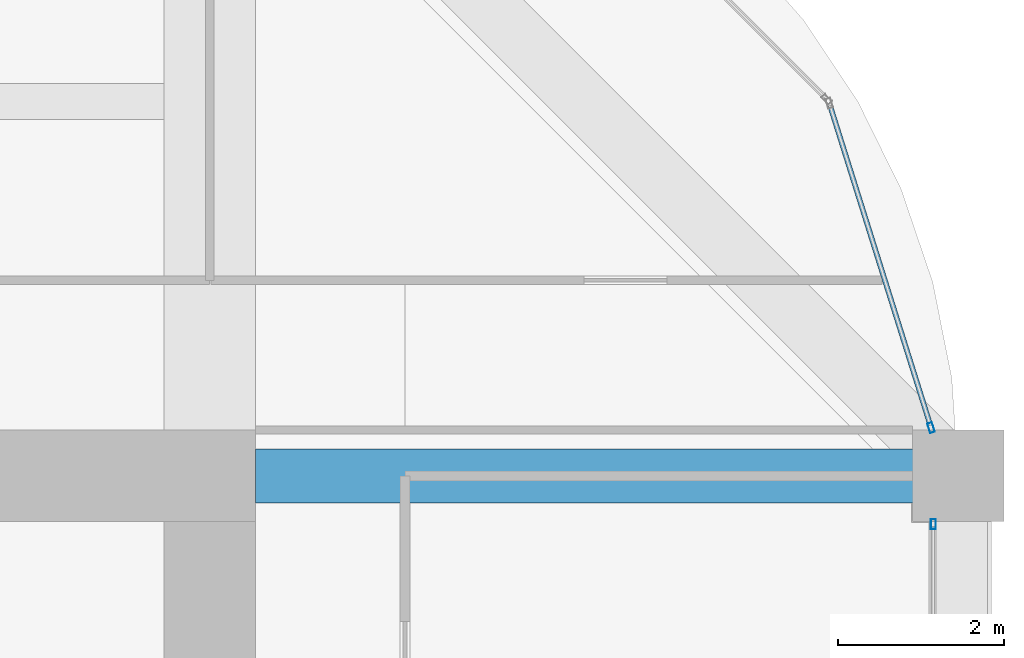
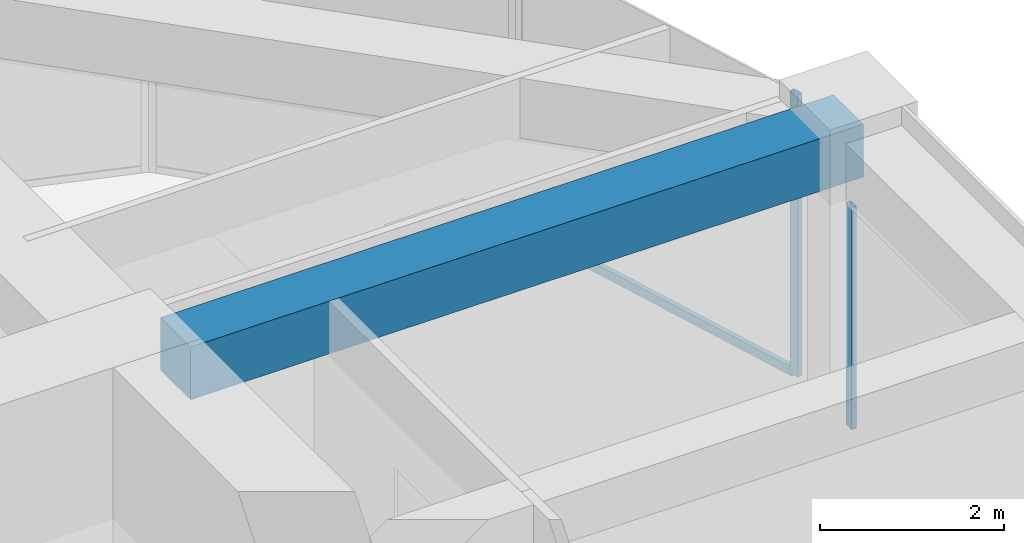
# One storey, part 36 of 44: 3 members, 1 beam, 2 elements without a shape of their own.
"""IFC4 building model written with IfcOpenShell, lengths in metres."""

from ifc_helpers import new_model, si_unit, direction, frame, origin, origin_2d, place, context, subcontext, project, spatial, rectangle, hollow_rectangle, extrude, material, material_profile, profile_set, type_object, element, aggregate, save


model = new_model("IFC4")

# Units and contexts
model_context = context("Model", 3, precision=1e-05, world=origin(), true_north=direction((0.0, 1.0)))
body_context = subcontext(model_context, "Body", "Model", "MODEL_VIEW")
ifc_project = project(units=[si_unit("LENGTHUNIT", "METRE"), si_unit("AREAUNIT", "SQUARE_METRE"), si_unit("VOLUMEUNIT", "CUBIC_METRE"), si_unit("PLANEANGLEUNIT", "RADIAN"), si_unit("MASSUNIT", "GRAM", prefix="KILO")], contexts=[model_context])

# Site, building, storey
site_placement = place(None, origin())
site = spatial("IfcSite", under=ifc_project, at=site_placement, CompositionType="ELEMENT")
building_placement = place(site_placement, origin())
building = spatial("IfcBuilding", under=site, at=building_placement, Name="Zorevar Civic Tower", CompositionType="ELEMENT")
storey_placement = place(building_placement, frame((0.0, 0.0, 271.39990234375)))
storey = spatial("IfcBuildingStorey", under=building, at=storey_placement, Name="L66", CompositionType="ELEMENT", Elevation=271.39990234375)

# Beam
ifc_material_1 = material(Name="Concrete C50/60", Category="concrete")
ifc_material_profile_1 = material_profile(ifc_material_1, rectangle(XDim=0.64990234375, YDim=0.699951171875, at=origin_2d()), Name="RC 650x700")
ifc_profile_set_1 = profile_set([ifc_material_profile_1], Name="Concrete C50/60")
beam_type = type_object("IfcBeamType", Name="Beam RC 650x700", PredefinedType="BEAM", material=ifc_profile_set_1)
beam_placement = place(storey_placement, frame((45.550048828125, 36.0, 3.400146484375), z_axis=(1.0, 0.0, 0.0), x_axis=(0.0, 1.0, 0.0)))
element("IfcBeam", 1, at=beam_placement, inside=storey, type_object=beam_type, Name="Girder L67", PredefinedType="BEAM", context=body_context, shape_type="SweptSolid", body=[
    extrude(rectangle(XDim=0.64990234375, YDim=0.699951171875, at=origin_2d()), origin(), (0.0, 0.0, 1.0), 8.449951171875),
])

# Curtain wall, member
ifc_material_2 = material(Name="Dark grey solar-control glass in black aluminium frame", Category="aluminium")
curtain_wall_type = type_object("IfcCurtainWallType", Name="Curtain wall CW5 top zone", PredefinedType="NOTDEFINED", material=ifc_material_2)
curtain_wall_1_placement = place(storey_placement, origin())
curtain_wall_1 = element("IfcCurtainWall", 2, at=curtain_wall_1_placement, inside=storey, type_object=curtain_wall_type, Name="CW5 L66", PredefinedType="NOTDEFINED")
ifc_material_3 = material(Name="Aluminium, black anodised", Category="aluminium")
ifc_material_profile_2 = material_profile(ifc_material_3, hollow_rectangle(XDim=0.06005859375, YDim=0.1201171875, WallThickness=0.0029296875, at=origin_2d()), Name="AL 120x60x3")
ifc_profile_set_2 = profile_set([ifc_material_profile_2], Name="Aluminium, black anodised")
member_type_1 = type_object("IfcMemberType", Name="CW5 mullion AL 120x60x3", PredefinedType="MULLION", material=ifc_profile_set_2)
member_1_placement = place(storey_placement, frame((53.699951171875, 35.419921875, 0.0), z_axis=(0.0, 0.0, 1.0), x_axis=(-1.0, 0.0, 0.0)))
member_1 = element("IfcMember", 3, at=member_1_placement, type_object=member_type_1, Name="CW5 mullion 3", PredefinedType="MULLION", context=body_context, shape_type="SweptSolid", body=[
    extrude(hollow_rectangle(XDim=0.06005859375, YDim=0.1201171875, WallThickness=0.0029296875, at=origin_2d()), origin(), (0.0, 0.0, 1.0), 2.9501953125),
])
aggregate(curtain_wall_1, [member_1])

# Curtain wall, members
curtain_wall_2_placement = place(storey_placement, origin())
curtain_wall_2 = element("IfcCurtainWall", 4, at=curtain_wall_2_placement, inside=storey, type_object=curtain_wall_type, Name="CW5 L66", PredefinedType="NOTDEFINED")
member_2_placement = place(storey_placement, frame((53.673583984375, 36.57861328125, 0.0), z_axis=(0.0, 0.0, 1.0), x_axis=(-0.954153437674, -0.299317920238, 0.0)))
member_2 = element("IfcMember", 5, at=member_2_placement, type_object=member_type_1, Name="CW5 mullion 1", PredefinedType="MULLION", context=body_context, shape_type="SweptSolid", body=[
    extrude(hollow_rectangle(XDim=0.06005859375, YDim=0.1201171875, WallThickness=0.0029296875, at=origin_2d()), origin(), (0.0, 0.0, 1.0), 3.75),
])
ifc_material_4 = material(Name="Aluminium, black anodised", Category="aluminium")
ifc_material_profile_3 = material_profile(ifc_material_4, hollow_rectangle(XDim=0.06005859375, YDim=0.1201171875, WallThickness=0.0029296875, at=origin_2d()), Name="AL 120x60x3")
ifc_profile_set_3 = profile_set([ifc_material_profile_3], Name="Aluminium, black anodised")
member_type_2 = type_object("IfcMemberType", Name="CW5 transom AL 120x60x3", PredefinedType="USERDEFINED", material=ifc_profile_set_3)
member_3_placement = place(storey_placement, frame((53.66455078125, 36.607177734375, 0.030029296875), z_axis=(-0.299285978047, 0.954163457351, 0.0), x_axis=(-0.954163457351, -0.299285978047, 0.0)))
member_3 = element("IfcMember", 6, at=member_3_placement, type_object=member_type_2, Name="CW5 sill transom", ObjectType="TRANSOM", PredefinedType="USERDEFINED", context=body_context, shape_type="SweptSolid", body=[
    extrude(hollow_rectangle(XDim=0.06005859375, YDim=0.1201171875, WallThickness=0.0029296875, at=origin_2d()), origin(), (0.0, 0.0, 1.0), 4.028076171875),
])
aggregate(curtain_wall_2, [member_2, member_3])

save(model, "model.ifc")
